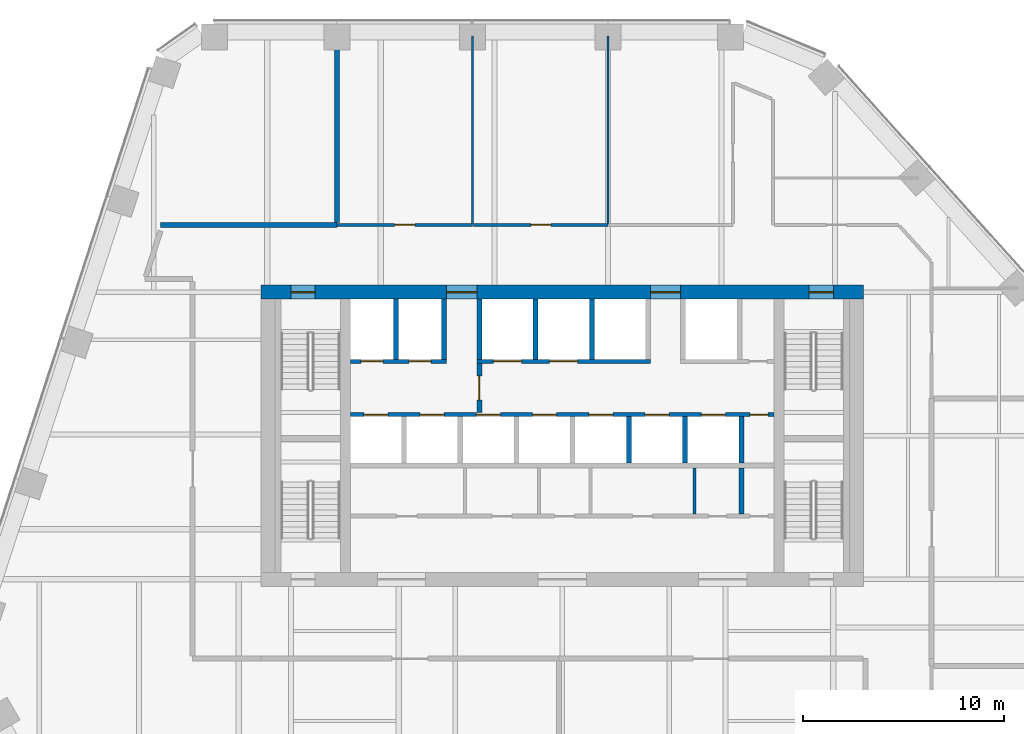
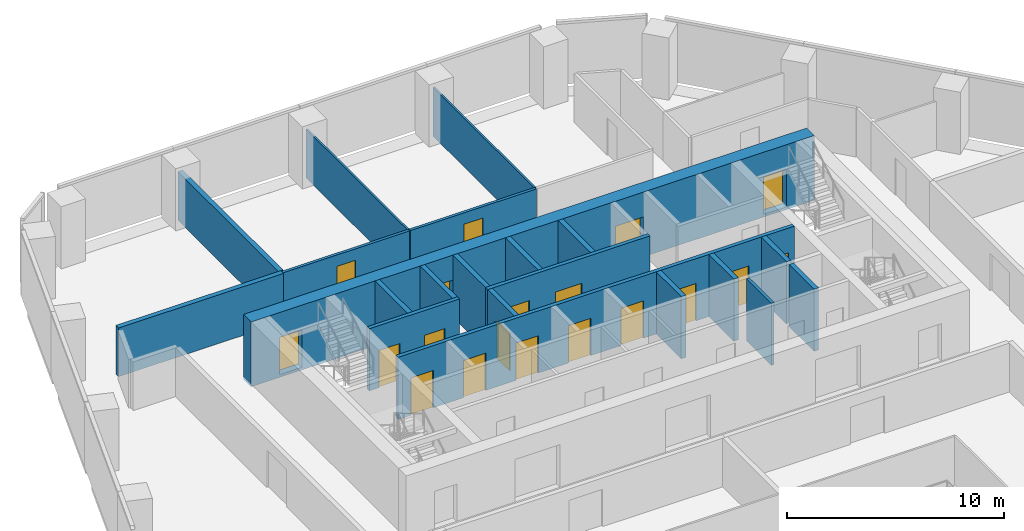
# One storey, part 12 of 16: 21 walls, 19 doors, 19 openings.
"""IFC4 building model written with IfcOpenShell, lengths in metres."""

from ifc_helpers import new_model, si_unit, direction, frame, frame_2d, origin, place, context, subcontext, project, spatial, rectangle, extrude, material, layer, layer_set, type_object, element, fill, save


model = new_model("IFC4")

# Units and contexts
model_context = context("Model", 3, precision=1e-05, world=origin(), true_north=direction((0.0, 1.0)))
body_context = subcontext(model_context, "Body", "Model", "MODEL_VIEW")
ifc_project = project(units=[si_unit("LENGTHUNIT", "METRE"), si_unit("AREAUNIT", "SQUARE_METRE"), si_unit("VOLUMEUNIT", "CUBIC_METRE"), si_unit("PLANEANGLEUNIT", "RADIAN"), si_unit("MASSUNIT", "GRAM", prefix="KILO")], contexts=[model_context])

# Site, building, storey
site_placement = place(None, origin())
site = spatial("IfcSite", under=ifc_project, at=site_placement, CompositionType="ELEMENT")
building_placement = place(site_placement, origin())
building = spatial("IfcBuilding", under=site, at=building_placement, Name="Isthmus Gate Tower", CompositionType="ELEMENT")
storey_placement = place(building_placement, frame((0.0, 0.0, 192.699951171875)))
storey = spatial("IfcBuildingStorey", under=building, at=storey_placement, Name="L48", CompositionType="ELEMENT", Elevation=192.699951171875)

# Walls
ifc_material_1 = material(Name="Double-leaf acoustic stud wall, fire-rated", Category="gypsum")
ifc_layer_1 = layer(ifc_material_1, 0.25)
ifc_layer_set_1 = layer_set([ifc_layer_1], Name="ACOUSTIC WALL 250 60 MIN")
wall_type_1 = type_object("IfcWallType", Name="ACOUSTIC WALL 250 60 MIN", PredefinedType="PARTITIONING", material=ifc_layer_set_1)
wall_1_placement = place(storey_placement, frame((-19.9970703125, 18.0, 0.0), z_axis=(0.0, 0.0, 1.0), x_axis=(1.0, 0.0, 0.0)))
element("IfcWall", 1, at=wall_1_placement, inside=storey, type_object=wall_type_1, Name="L48 Acoustic Wall 250 60 Min", PredefinedType="PARTITIONING", context=body_context, shape_type="SweptSolid", body=[
    extrude(rectangle(XDim=8.78515625, YDim=0.25, at=frame_2d((4.392578125, 0.0))), origin(), (0.0, 0.0, 1.0), 2.7412109375),
])
wall_2_placement = place(storey_placement, frame((-11.2119140625, 18.125, 0.0), z_axis=(0.0, 0.0, 1.0), x_axis=(0.0, 1.0, 0.0)))
element("IfcWall", 2, at=wall_2_placement, inside=storey, type_object=wall_type_1, Name="L48 Acoustic Wall 250 60 Min", PredefinedType="PARTITIONING", context=body_context, shape_type="SweptSolid", body=[
    extrude(rectangle(XDim=9.27490234375, YDim=0.25, at=frame_2d((4.637451171875, 0.0))), origin(), (0.0, 0.0, 1.0), 2.7412109375),
])

# Wall, opening, door
ifc_material_2 = material(Name="Gypsum board on steel studs, fire-rated", Category="steel")
ifc_layer_2 = layer(ifc_material_2, 0.14990234375)
ifc_layer_set_2 = layer_set([ifc_layer_2], Name="CORRIDOR WALL 150 60 MIN")
wall_type_2 = type_object("IfcWallType", Name="CORRIDOR WALL 150 60 MIN", PredefinedType="PARTITIONING", material=ifc_layer_set_2)
wall_3_placement = place(storey_placement, frame((-11.2119140625, 18.0, 0.0), z_axis=(0.0, 0.0, 1.0), x_axis=(1.0, 0.0, 0.0)))
wall_3 = element("IfcWall", 3, at=wall_3_placement, inside=storey, type_object=wall_type_2, Name="L48 Corridor Wall 150 60 Min", PredefinedType="PARTITIONING", context=body_context, shape_type="SweptSolid", body=[
    extrude(rectangle(XDim=6.75, YDim=0.14990234375, at=frame_2d((3.375, 0.0))), origin(), (0.0, 0.0, 1.0), 2.7412109375),
])
opening_1_placement = place(wall_3_placement, frame((2.875, 0.0, 0.0)))
opening_1 = element("IfcOpeningElement", 4, at=opening_1_placement, cuts=wall_3, Name="Opening DT-T4C-01", PredefinedType="OPENING", context=body_context, shape_type="SweptSolid", body=[
    extrude(rectangle(XDim=1.0, YDim=2.10009765625, at=frame_2d((0.5, 1.050048828125))), frame((0.0, 0.0849609375, 0.0), z_axis=(0.0, -1.0, 0.0), x_axis=(1.0, 0.0, 0.0)), (0.0, 0.0, 1.0), 0.169921875),
])
ifc_material_3 = material(Name="Solid core timber door leaf, fire-rated", Category="wood")
door_type_1 = type_object("IfcDoorType", Name="FIRE DOOR ROOM 1000 X 2100 60 MIN", OperationType="SINGLE_SWING_LEFT", PredefinedType="DOOR", material=ifc_material_3)
door_1_placement = place(opening_1_placement, origin())
door_1 = element("IfcDoor", 5, at=door_1_placement, inside=storey, type_object=door_type_1, Name="L48 room door", OperationType="SINGLE_SWING_RIGHT", OverallHeight=2.10009765625, OverallWidth=1.0, PredefinedType="DOOR", context=body_context, shape_type="SweptSolid", body=[
    extrude(rectangle(XDim=1.0, YDim=2.10009765625, at=frame_2d((0.5, 1.050048828125))), frame((0.0, 0.02490234375, 0.0), z_axis=(0.0, -1.0, 0.0), x_axis=(1.0, 0.0, 0.0)), (0.0, 0.0, 1.0), 0.050048828125),
])
fill(opening_1, door_1)

wall_4_placement = place(storey_placement, frame((-4.412109375, 18.0, 0.0), z_axis=(0.0, 0.0, 1.0), x_axis=(1.0, 0.0, 0.0)))
wall_4 = element("IfcWall", 6, at=wall_4_placement, inside=storey, type_object=wall_type_2, Name="L48 Corridor Wall 150 60 Min", PredefinedType="PARTITIONING", context=body_context, shape_type="SweptSolid", body=[
    extrude(rectangle(XDim=6.7001953125, YDim=0.14990234375, at=frame_2d((3.35009765625, 0.0))), origin(), (0.0, 0.0, 1.0), 2.7412109375),
])
opening_2_placement = place(wall_4_placement, frame((2.85009765625, 0.0, 0.0)))
opening_2 = element("IfcOpeningElement", 7, at=opening_2_placement, cuts=wall_4, Name="Opening DT-T4C-02", PredefinedType="OPENING", context=body_context, shape_type="SweptSolid", body=[
    extrude(rectangle(XDim=1.0, YDim=2.10009765625, at=frame_2d((0.5, 1.050048828125))), frame((0.0, 0.0849609375, 0.0), z_axis=(0.0, -1.0, 0.0), x_axis=(1.0, 0.0, 0.0)), (0.0, 0.0, 1.0), 0.169921875),
])
door_2_placement = place(opening_2_placement, origin())
door_2 = element("IfcDoor", 8, at=door_2_placement, inside=storey, type_object=door_type_1, Name="L48 room door", OperationType="SINGLE_SWING_RIGHT", OverallHeight=2.10009765625, OverallWidth=1.0, PredefinedType="DOOR", context=body_context, shape_type="SweptSolid", body=[
    extrude(rectangle(XDim=1.0, YDim=2.10009765625, at=frame_2d((0.5, 1.050048828125))), frame((0.0, 0.02490234375, 0.0), z_axis=(0.0, -1.0, 0.0), x_axis=(1.0, 0.0, 0.0)), (0.0, 0.0, 1.0), 0.050048828125),
])
fill(opening_2, door_2)

ifc_material_4 = material(Name="Fire-rated blockwork masonry, 15 MPa", Category="masonry")
ifc_layer_3 = layer(ifc_material_4, 0.25)
ifc_layer_set_3 = layer_set([ifc_layer_3], Name="FIRE-FIGHTING LOBBY WALL 250 90 MIN")
wall_type_3 = type_object("IfcWallType", Name="FIRE-FIGHTING LOBBY WALL 250 90 MIN", PredefinedType="PARTITIONING", material=ifc_layer_set_3)
wall_5_placement = place(storey_placement, frame((-4.125, 8.64990234375, 0.0), z_axis=(0.0, 0.0, 1.0), x_axis=(0.0, 1.0, 0.0)))
wall_5 = element("IfcWall", 9, at=wall_5_placement, inside=storey, type_object=wall_type_3, Name="L48 FIRE-FIGHTING LOBBY WALL 250 90 MIN", PredefinedType="PARTITIONING", context=body_context, shape_type="SweptSolid", body=[
    extrude(rectangle(XDim=2.4501953125, YDim=0.25, at=frame_2d((1.22509765625, 0.0))), origin(), (0.0, 0.0, 1.0), 3.5),
])
opening_3_placement = place(wall_5_placement, frame((0.625, 0.0, 0.0)))
opening_3 = element("IfcOpeningElement", 10, at=opening_3_placement, cuts=wall_5, Name="Opening DC-A11-01", PredefinedType="OPENING", context=body_context, shape_type="SweptSolid", body=[
    extrude(rectangle(XDim=1.199951171875, YDim=2.10009765625, at=frame_2d((0.60009765625, 1.050048828125))), frame((0.0, 0.135009765625, 0.0), z_axis=(0.0, -1.0, 0.0), x_axis=(1.0, 0.0, 0.0)), (0.0, 0.0, 1.0), 0.27001953125),
])
ifc_material_5 = material(Name="Steel door leaf, fire-rated", Category="steel")
door_type_2 = type_object("IfcDoorType", Name="LOBBY FIRE DOOR 1200 X 2100 90 MIN", OperationType="DOUBLE_DOOR_SINGLE_SWING", PredefinedType="DOOR", material=ifc_material_5)
door_3_placement = place(opening_3_placement, origin())
door_3 = element("IfcDoor", 11, at=door_3_placement, inside=storey, type_object=door_type_2, Name="Fire-fighting Lobby Door", OperationType="SINGLE_SWING_LEFT", OverallHeight=2.10009765625, OverallWidth=1.199951171875, PredefinedType="DOOR", context=body_context, shape_type="SweptSolid", body=[
    extrude(rectangle(XDim=1.199951171875, YDim=2.10009765625, at=frame_2d((0.60009765625, 1.050048828125))), frame((0.0, 0.02490234375, 0.0), z_axis=(0.0, -1.0, 0.0), x_axis=(1.0, 0.0, 0.0)), (0.0, 0.0, 1.0), 0.050048828125),
])
fill(opening_3, door_3)

# Wall, openings, doors
ifc_material_6 = material(Name="Concrete f'c 60 MPa", Category="concrete")
ifc_layer_4 = layer(ifc_material_6, 0.699951171875)
ifc_layer_set_4 = layer_set([ifc_layer_4], Name="RC CORE WALL 700 F'C 60")
wall_type_4 = type_object("IfcWallType", Name="RC CORE WALL 700 F'C 60", PredefinedType="SOLIDWALL", material=ifc_layer_set_4)
wall_6_placement = place(storey_placement, frame((-15.0, 14.64990234375, -0.14990234375), z_axis=(0.0, 0.0, 1.0), x_axis=(1.0, 0.0, 0.0)))
wall_6 = element("IfcWall", 12, at=wall_6_placement, inside=storey, type_object=wall_type_4, Name="str-corewall-L48-N", PredefinedType="SOLIDWALL", context=body_context, shape_type="SweptSolid", body=[
    extrude(rectangle(XDim=30.0, YDim=0.699951171875, at=frame_2d((15.0, 0.0))), origin(), (0.0, 0.0, 1.0), 3.64990234375),
])
opening_4_placement = place(wall_6_placement, frame((9.25, 0.0, 0.14990234375)))
opening_4 = element("IfcOpeningElement", 13, at=opening_4_placement, cuts=wall_6, Name="Opening DC-A11-13", PredefinedType="OPENING", context=body_context, shape_type="SweptSolid", body=[
    extrude(rectangle(XDim=1.5, YDim=2.10009765625, at=frame_2d((0.75, 1.050048828125))), frame((0.0, 0.35986328125, 0.0), z_axis=(0.0, -1.0, 0.0), x_axis=(1.0, 0.0, 0.0)), (0.0, 0.0, 1.0), 0.719970703125),
])
opening_5_placement = place(wall_6_placement, frame((19.39990234375, 0.0, 0.14990234375)))
opening_5 = element("IfcOpeningElement", 14, at=opening_5_placement, cuts=wall_6, Name="Opening DC-A11-14", PredefinedType="OPENING", context=body_context, shape_type="SweptSolid", body=[
    extrude(rectangle(XDim=1.5, YDim=2.10009765625, at=frame_2d((0.75, 1.050048828125))), frame((0.0, 0.35986328125, 0.0), z_axis=(0.0, -1.0, 0.0), x_axis=(1.0, 0.0, 0.0)), (0.0, 0.0, 1.0), 0.719970703125),
])
opening_6_placement = place(wall_6_placement, frame((1.5, 0.0, 0.14990234375)))
opening_6 = element("IfcOpeningElement", 15, at=opening_6_placement, cuts=wall_6, Name="Opening DC-A11-15", PredefinedType="OPENING", context=body_context, shape_type="SweptSolid", body=[
    extrude(rectangle(XDim=1.199951171875, YDim=2.10009765625, at=frame_2d((0.60009765625, 1.050048828125))), frame((0.0, 0.35986328125, 0.0), z_axis=(0.0, -1.0, 0.0), x_axis=(1.0, 0.0, 0.0)), (0.0, 0.0, 1.0), 0.719970703125),
])
opening_7_placement = place(wall_6_placement, frame((27.300048828125, 0.0, 0.14990234375)))
opening_7 = element("IfcOpeningElement", 16, at=opening_7_placement, cuts=wall_6, Name="Opening DC-A11-16", PredefinedType="OPENING", context=body_context, shape_type="SweptSolid", body=[
    extrude(rectangle(XDim=1.199951171875, YDim=2.10009765625, at=frame_2d((0.60009765625, 1.050048828125))), frame((0.0, 0.35986328125, 0.0), z_axis=(0.0, -1.0, 0.0), x_axis=(1.0, 0.0, 0.0)), (0.0, 0.0, 1.0), 0.719970703125),
])
ifc_material_7 = material(Name="Steel door leaf, fire-rated", Category="steel")
door_type_3 = type_object("IfcDoorType", Name="LOBBY FIRE DOOR 1500 X 2100 60 MIN", OperationType="DOUBLE_DOOR_SINGLE_SWING", PredefinedType="DOOR", material=ifc_material_7)
door_4_placement = place(opening_5_placement, origin())
door_4 = element("IfcDoor", 17, at=door_4_placement, inside=storey, type_object=door_type_3, Name="Lobby Door PN-E", OperationType="DOUBLE_DOOR_SINGLE_SWING", OverallHeight=2.10009765625, OverallWidth=1.5, PredefinedType="DOOR", context=body_context, shape_type="SweptSolid", body=[
    extrude(rectangle(XDim=1.5, YDim=2.10009765625, at=frame_2d((0.75, 1.050048828125))), frame((0.0, 0.02490234375, 0.0), z_axis=(0.0, -1.0, 0.0), x_axis=(1.0, 0.0, 0.0)), (0.0, 0.0, 1.0), 0.050048828125),
])
fill(opening_5, door_4)
ifc_material_8 = material(Name="Steel door leaf, fire-rated", Category="steel")
door_type_4 = type_object("IfcDoorType", Name="LOBBY FIRE DOOR 1500 X 2100 90 MIN", OperationType="DOUBLE_DOOR_SINGLE_SWING", PredefinedType="DOOR", material=ifc_material_8)
door_5_placement = place(opening_4_placement, origin())
door_5 = element("IfcDoor", 18, at=door_5_placement, inside=storey, type_object=door_type_4, Name="Lobby Door PN-W", OperationType="DOUBLE_DOOR_SINGLE_SWING", OverallHeight=2.10009765625, OverallWidth=1.5, PredefinedType="DOOR", context=body_context, shape_type="SweptSolid", body=[
    extrude(rectangle(XDim=1.5, YDim=2.10009765625, at=frame_2d((0.75, 1.050048828125))), frame((0.0, 0.02490234375, 0.0), z_axis=(0.0, -1.0, 0.0), x_axis=(1.0, 0.0, 0.0)), (0.0, 0.0, 1.0), 0.050048828125),
])
fill(opening_4, door_5)
ifc_material_9 = material(Name="Steel door leaf, fire-rated", Category="steel")
door_type_5 = type_object("IfcDoorType", Name="STAIR FIRE DOOR 1200 X 2100 90 MIN", OperationType="SINGLE_SWING_LEFT", PredefinedType="DOOR", material=ifc_material_9)
door_6_placement = place(opening_6_placement, origin())
door_6 = element("IfcDoor", 19, at=door_6_placement, inside=storey, type_object=door_type_5, Name="Exit Stair 1 Door", OperationType="SINGLE_SWING_RIGHT", OverallHeight=2.10009765625, OverallWidth=1.199951171875, PredefinedType="DOOR", context=body_context, shape_type="SweptSolid", body=[
    extrude(rectangle(XDim=1.199951171875, YDim=2.10009765625, at=frame_2d((0.60009765625, 1.050048828125))), frame((0.0, 0.02490234375, 0.0), z_axis=(0.0, -1.0, 0.0), x_axis=(1.0, 0.0, 0.0)), (0.0, 0.0, 1.0), 0.050048828125),
])
fill(opening_6, door_6)
door_7_placement = place(opening_7_placement, origin())
door_7 = element("IfcDoor", 20, at=door_7_placement, inside=storey, type_object=door_type_5, Name="Exit Stair 2 Door", OperationType="SINGLE_SWING_LEFT", OverallHeight=2.10009765625, OverallWidth=1.199951171875, PredefinedType="DOOR", context=body_context, shape_type="SweptSolid", body=[
    extrude(rectangle(XDim=1.199951171875, YDim=2.10009765625, at=frame_2d((0.60009765625, 1.050048828125))), frame((0.0, 0.02490234375, 0.0), z_axis=(0.0, -1.0, 0.0), x_axis=(1.0, 0.0, 0.0)), (0.0, 0.0, 1.0), 0.050048828125),
])
fill(opening_7, door_7)

# Walls
ifc_material_10 = material(Name="Gypsum board on steel studs, fire-rated", Category="steel")
ifc_layer_5 = layer(ifc_material_10, 0.10009765625)
ifc_layer_set_5 = layer_set([ifc_layer_5], Name="ROOM PARTITION 100 30 MIN")
wall_type_5 = type_object("IfcWallType", Name="ROOM PARTITION 100 30 MIN", PredefinedType="PARTITIONING", material=ifc_layer_set_5)
for number, where, z_axis, x_axis, name in (
    (21, (-4.4619140625, 18.074951171875, 0.0), (0.0, 0.0, 1.0), (0.0, 1.0, 0.0), "L48 Room Partition 100 30 Min"),
    (22, (2.2880859375, 18.074951171875, 0.0), (0.0, 0.0, 1.0), (0.0, 1.0, 0.0), "L48 Room Partition 100 30 Min"),
):
    element("IfcWall", number, at=place(storey_placement, frame(where, z_axis=z_axis, x_axis=x_axis)), inside=storey, type_object=wall_type_5, Name=name, PredefinedType="PARTITIONING", context=body_context, shape_type="SweptSolid", body=[
        extrude(rectangle(XDim=9.324951171875, YDim=0.10009765625, at=frame_2d((4.66259765625, 0.0))), origin(), (0.0, 0.0, 1.0), 2.7412109375),
    ])
ifc_material_11 = material(Name="Gypsum board on steel studs, fire-rated", Category="steel")
ifc_layer_6 = layer(ifc_material_11, 0.14990234375)
ifc_layer_set_6 = layer_set([ifc_layer_6], Name="ROOM PARTITION 150 60 MIN")
wall_type_6 = type_object("IfcWallType", Name="ROOM PARTITION 150 60 MIN", PredefinedType="PARTITIONING", material=ifc_layer_set_6)
wall_7_placement = place(storey_placement, frame((6.60009765625, 3.60009765625, 0.0), z_axis=(0.0, 0.0, 1.0), x_axis=(0.0, 1.0, 0.0)))
element("IfcWall", 23, at=wall_7_placement, inside=storey, type_object=wall_type_6, Name="L48 ROOM PARTITION 150 60 MIN", PredefinedType="PARTITIONING", context=body_context, shape_type="SweptSolid", body=[
    extrude(rectangle(XDim=2.2998046875, YDim=0.14990234375, at=frame_2d((1.14990234375, 0.0))), origin(), (0.0, 0.0, 1.0), 3.5),
])

# Wall, openings, doors
ifc_material_12 = material(Name="Fire-rated blockwork masonry, 15 MPa", Category="masonry")
ifc_layer_7 = layer(ifc_material_12, 0.199951171875)
ifc_layer_set_7 = layer_set([ifc_layer_7], Name="SHAFT FRONT WALL 200 120 MIN")
wall_type_7 = type_object("IfcWallType", Name="SHAFT FRONT WALL 200 120 MIN", PredefinedType="PARTITIONING", material=ifc_layer_set_7)
wall_8_placement = place(storey_placement, frame((-10.550048828125, 8.550048828125, 0.0), z_axis=(0.0, 0.0, 1.0), x_axis=(1.0, 0.0, 0.0)))
wall_8 = element("IfcWall", 24, at=wall_8_placement, inside=storey, type_object=wall_type_7, Name="L48 SHAFT FRONT WALL 200 120 MIN", PredefinedType="PARTITIONING", context=body_context, shape_type="SweptSolid", body=[
    extrude(rectangle(XDim=21.10009765625, YDim=0.199951171875, at=frame_2d((10.550048828125, 0.0))), origin(), (0.0, 0.0, 1.0), 3.5),
])
opening_8_placement = place(wall_8_placement, frame((0.675048828125, 0.0, 0.0)))
opening_8 = element("IfcOpeningElement", 25, at=opening_8_placement, cuts=wall_8, Name="Opening LD-LB1", PredefinedType="OPENING", context=body_context, shape_type="SweptSolid", body=[
    extrude(rectangle(XDim=1.199951171875, YDim=2.10009765625, at=frame_2d((0.60009765625, 1.050048828125))), frame((0.0, 0.10986328125, 0.0), z_axis=(0.0, -1.0, 0.0), x_axis=(1.0, 0.0, 0.0)), (0.0, 0.0, 1.0), 0.219970703125),
])
opening_9_placement = place(wall_8_placement, frame((3.47509765625, 0.0, 0.0)))
opening_9 = element("IfcOpeningElement", 26, at=opening_9_placement, cuts=wall_8, Name="Opening LD-LB2", PredefinedType="OPENING", context=body_context, shape_type="SweptSolid", body=[
    extrude(rectangle(XDim=1.199951171875, YDim=2.10009765625, at=frame_2d((0.60009765625, 1.050048828125))), frame((0.0, 0.10986328125, 0.0), z_axis=(0.0, -1.0, 0.0), x_axis=(1.0, 0.0, 0.0)), (0.0, 0.0, 1.0), 0.219970703125),
])
opening_10_placement = place(wall_8_placement, frame((6.27490234375, 0.0, 0.0)))
opening_10 = element("IfcOpeningElement", 27, at=opening_10_placement, cuts=wall_8, Name="Opening LD-LB3", PredefinedType="OPENING", context=body_context, shape_type="SweptSolid", body=[
    extrude(rectangle(XDim=1.199951171875, YDim=2.10009765625, at=frame_2d((0.60009765625, 1.050048828125))), frame((0.0, 0.10986328125, 0.0), z_axis=(0.0, -1.0, 0.0), x_axis=(1.0, 0.0, 0.0)), (0.0, 0.0, 1.0), 0.219970703125),
])
opening_11_placement = place(wall_8_placement, frame((9.074951171875, 0.0, 0.0)))
opening_11 = element("IfcOpeningElement", 28, at=opening_11_placement, cuts=wall_8, Name="Opening LD-LB4", PredefinedType="OPENING", context=body_context, shape_type="SweptSolid", body=[
    extrude(rectangle(XDim=1.199951171875, YDim=2.10009765625, at=frame_2d((0.60009765625, 1.050048828125))), frame((0.0, 0.10986328125, 0.0), z_axis=(0.0, -1.0, 0.0), x_axis=(1.0, 0.0, 0.0)), (0.0, 0.0, 1.0), 0.219970703125),
])
opening_12_placement = place(wall_8_placement, frame((11.875, 0.0, 0.0)))
opening_12 = element("IfcOpeningElement", 29, at=opening_12_placement, cuts=wall_8, Name="Opening LD-LB5", PredefinedType="OPENING", context=body_context, shape_type="SweptSolid", body=[
    extrude(rectangle(XDim=1.199951171875, YDim=2.10009765625, at=frame_2d((0.60009765625, 1.050048828125))), frame((0.0, 0.10986328125, 0.0), z_axis=(0.0, -1.0, 0.0), x_axis=(1.0, 0.0, 0.0)), (0.0, 0.0, 1.0), 0.219970703125),
])
opening_13_placement = place(wall_8_placement, frame((14.675048828125, 0.0, 0.0)))
opening_13 = element("IfcOpeningElement", 30, at=opening_13_placement, cuts=wall_8, Name="Opening LD-LB6", PredefinedType="OPENING", context=body_context, shape_type="SweptSolid", body=[
    extrude(rectangle(XDim=1.199951171875, YDim=2.10009765625, at=frame_2d((0.60009765625, 1.050048828125))), frame((0.0, 0.10986328125, 0.0), z_axis=(0.0, -1.0, 0.0), x_axis=(1.0, 0.0, 0.0)), (0.0, 0.0, 1.0), 0.219970703125),
])
opening_14_placement = place(wall_8_placement, frame((17.47509765625, 0.0, 0.0)))
opening_14 = element("IfcOpeningElement", 31, at=opening_14_placement, cuts=wall_8, Name="Opening LD-LB7", PredefinedType="OPENING", context=body_context, shape_type="SweptSolid", body=[
    extrude(rectangle(XDim=1.199951171875, YDim=2.10009765625, at=frame_2d((0.60009765625, 1.050048828125))), frame((0.0, 0.10986328125, 0.0), z_axis=(0.0, -1.0, 0.0), x_axis=(1.0, 0.0, 0.0)), (0.0, 0.0, 1.0), 0.219970703125),
])
opening_15_placement = place(wall_8_placement, frame((19.89990234375, 0.0, 0.0)))
opening_15 = element("IfcOpeningElement", 32, at=opening_15_placement, cuts=wall_8, Name="Opening DC-A11-08", PredefinedType="OPENING", context=body_context, shape_type="SweptSolid", body=[
    extrude(rectangle(XDim=0.89990234375, YDim=2.10009765625, at=frame_2d((0.449951171875, 1.050048828125))), frame((0.0, 0.10986328125, 0.0), z_axis=(0.0, -1.0, 0.0), x_axis=(1.0, 0.0, 0.0)), (0.0, 0.0, 1.0), 0.219970703125),
])
ifc_material_13 = material(Name="Stainless steel sliding leaf", Category="steel")
door_type_6 = type_object("IfcDoorType", Name="LIFT LANDING FIRE DOOR 1200 X 2100 90 MIN", OperationType="DOUBLE_DOOR_SLIDING", PredefinedType="DOOR", material=ifc_material_13)
door_8_placement = place(opening_8_placement, origin())
door_8 = element("IfcDoor", 33, at=door_8_placement, inside=storey, type_object=door_type_6, Name="Lift Landing Door LB1", OperationType="DOUBLE_DOOR_SLIDING", OverallHeight=2.10009765625, OverallWidth=1.199951171875, PredefinedType="DOOR", context=body_context, shape_type="SweptSolid", body=[
    extrude(rectangle(XDim=1.199951171875, YDim=2.10009765625, at=frame_2d((0.60009765625, 1.050048828125))), frame((0.0, 0.02490234375, 0.0), z_axis=(0.0, -1.0, 0.0), x_axis=(1.0, 0.0, 0.0)), (0.0, 0.0, 1.0), 0.050048828125),
])
fill(opening_8, door_8)
door_9_placement = place(opening_9_placement, origin())
door_9 = element("IfcDoor", 34, at=door_9_placement, inside=storey, type_object=door_type_6, Name="Lift Landing Door LB2", OperationType="DOUBLE_DOOR_SLIDING", OverallHeight=2.10009765625, OverallWidth=1.199951171875, PredefinedType="DOOR", context=body_context, shape_type="SweptSolid", body=[
    extrude(rectangle(XDim=1.199951171875, YDim=2.10009765625, at=frame_2d((0.60009765625, 1.050048828125))), frame((0.0, 0.02490234375, 0.0), z_axis=(0.0, -1.0, 0.0), x_axis=(1.0, 0.0, 0.0)), (0.0, 0.0, 1.0), 0.050048828125),
])
fill(opening_9, door_9)
door_10_placement = place(opening_10_placement, origin())
door_10 = element("IfcDoor", 35, at=door_10_placement, inside=storey, type_object=door_type_6, Name="Lift Landing Door LB3", OperationType="DOUBLE_DOOR_SLIDING", OverallHeight=2.10009765625, OverallWidth=1.199951171875, PredefinedType="DOOR", context=body_context, shape_type="SweptSolid", body=[
    extrude(rectangle(XDim=1.199951171875, YDim=2.10009765625, at=frame_2d((0.60009765625, 1.050048828125))), frame((0.0, 0.02490234375, 0.0), z_axis=(0.0, -1.0, 0.0), x_axis=(1.0, 0.0, 0.0)), (0.0, 0.0, 1.0), 0.050048828125),
])
fill(opening_10, door_10)
door_11_placement = place(opening_11_placement, origin())
door_11 = element("IfcDoor", 36, at=door_11_placement, inside=storey, type_object=door_type_6, Name="Lift Landing Door LB4", OperationType="DOUBLE_DOOR_SLIDING", OverallHeight=2.10009765625, OverallWidth=1.199951171875, PredefinedType="DOOR", context=body_context, shape_type="SweptSolid", body=[
    extrude(rectangle(XDim=1.199951171875, YDim=2.10009765625, at=frame_2d((0.60009765625, 1.050048828125))), frame((0.0, 0.02490234375, 0.0), z_axis=(0.0, -1.0, 0.0), x_axis=(1.0, 0.0, 0.0)), (0.0, 0.0, 1.0), 0.050048828125),
])
fill(opening_11, door_11)
door_12_placement = place(opening_12_placement, origin())
door_12 = element("IfcDoor", 37, at=door_12_placement, inside=storey, type_object=door_type_6, Name="Lift Landing Door LB5", OperationType="DOUBLE_DOOR_SLIDING", OverallHeight=2.10009765625, OverallWidth=1.199951171875, PredefinedType="DOOR", context=body_context, shape_type="SweptSolid", body=[
    extrude(rectangle(XDim=1.199951171875, YDim=2.10009765625, at=frame_2d((0.60009765625, 1.050048828125))), frame((0.0, 0.02490234375, 0.0), z_axis=(0.0, -1.0, 0.0), x_axis=(1.0, 0.0, 0.0)), (0.0, 0.0, 1.0), 0.050048828125),
])
fill(opening_12, door_12)
door_13_placement = place(opening_13_placement, origin())
door_13 = element("IfcDoor", 38, at=door_13_placement, inside=storey, type_object=door_type_6, Name="Lift Landing Door LB6", OperationType="DOUBLE_DOOR_SLIDING", OverallHeight=2.10009765625, OverallWidth=1.199951171875, PredefinedType="DOOR", context=body_context, shape_type="SweptSolid", body=[
    extrude(rectangle(XDim=1.199951171875, YDim=2.10009765625, at=frame_2d((0.60009765625, 1.050048828125))), frame((0.0, 0.02490234375, 0.0), z_axis=(0.0, -1.0, 0.0), x_axis=(1.0, 0.0, 0.0)), (0.0, 0.0, 1.0), 0.050048828125),
])
fill(opening_13, door_13)
door_14_placement = place(opening_14_placement, origin())
door_14 = element("IfcDoor", 39, at=door_14_placement, inside=storey, type_object=door_type_6, Name="Lift Landing Door LB7", OperationType="DOUBLE_DOOR_SLIDING", OverallHeight=2.10009765625, OverallWidth=1.199951171875, PredefinedType="DOOR", context=body_context, shape_type="SweptSolid", body=[
    extrude(rectangle(XDim=1.199951171875, YDim=2.10009765625, at=frame_2d((0.60009765625, 1.050048828125))), frame((0.0, 0.02490234375, 0.0), z_axis=(0.0, -1.0, 0.0), x_axis=(1.0, 0.0, 0.0)), (0.0, 0.0, 1.0), 0.050048828125),
])
fill(opening_14, door_14)
ifc_material_14 = material(Name="Steel door leaf, fire-rated", Category="steel")
door_type_7 = type_object("IfcDoorType", Name="RISER FIRE DOOR 900 X 2100 90 MIN", OperationType="SINGLE_SWING_LEFT", PredefinedType="DOOR", material=ifc_material_14)
door_15_placement = place(opening_15_placement, origin())
door_15 = element("IfcDoor", 40, at=door_15_placement, inside=storey, type_object=door_type_7, Name="Riser Door", OperationType="SINGLE_SWING_RIGHT", OverallHeight=2.10009765625, OverallWidth=0.89990234375, PredefinedType="DOOR", context=body_context, shape_type="SweptSolid", body=[
    extrude(rectangle(XDim=0.89990234375, YDim=2.10009765625, at=frame_2d((0.449951171875, 1.050048828125))), frame((0.0, 0.02490234375, 0.0), z_axis=(0.0, -1.0, 0.0), x_axis=(1.0, 0.0, 0.0)), (0.0, 0.0, 1.0), 0.050048828125),
])
fill(opening_15, door_15)

wall_9_placement = place(storey_placement, frame((-10.550048828125, 11.199951171875, 0.0), z_axis=(0.0, 0.0, 1.0), x_axis=(1.0, 0.0, 0.0)))
wall_9 = element("IfcWall", 41, at=wall_9_placement, inside=storey, type_object=wall_type_7, Name="L48 SHAFT FRONT WALL 200 120 MIN", PredefinedType="PARTITIONING", context=body_context, shape_type="SweptSolid", body=[
    extrude(rectangle(XDim=4.800048828125, YDim=0.199951171875, at=frame_2d((2.39990234375, 0.0))), origin(), (0.0, 0.0, 1.0), 3.5),
])
opening_16_placement = place(wall_9_placement, frame((0.52490234375, 0.0, 0.0)))
opening_16 = element("IfcOpeningElement", 42, at=opening_16_placement, cuts=wall_9, Name="Opening LD-LF1", PredefinedType="OPENING", context=body_context, shape_type="SweptSolid", body=[
    extrude(rectangle(XDim=1.10009765625, YDim=2.10009765625, at=frame_2d((0.550048828125, 1.050048828125))), frame((0.0, 0.10986328125, 0.0), z_axis=(0.0, -1.0, 0.0), x_axis=(1.0, 0.0, 0.0)), (0.0, 0.0, 1.0), 0.219970703125),
])
opening_17_placement = place(wall_9_placement, frame((2.925048828125, 0.0, 0.0)))
opening_17 = element("IfcOpeningElement", 43, at=opening_17_placement, cuts=wall_9, Name="Opening LD-LF2", PredefinedType="OPENING", context=body_context, shape_type="SweptSolid", body=[
    extrude(rectangle(XDim=1.10009765625, YDim=2.10009765625, at=frame_2d((0.550048828125, 1.050048828125))), frame((0.0, 0.10986328125, 0.0), z_axis=(0.0, -1.0, 0.0), x_axis=(1.0, 0.0, 0.0)), (0.0, 0.0, 1.0), 0.219970703125),
])
ifc_material_15 = material(Name="Stainless steel sliding leaf", Category="steel")
door_type_8 = type_object("IfcDoorType", Name="LIFT LANDING FIRE DOOR 1100 X 2100 90 MIN", OperationType="DOUBLE_DOOR_SLIDING", PredefinedType="DOOR", material=ifc_material_15)
door_16_placement = place(opening_16_placement, origin())
door_16 = element("IfcDoor", 44, at=door_16_placement, inside=storey, type_object=door_type_8, Name="Lift Landing Door LF1", OperationType="DOUBLE_DOOR_SLIDING", OverallHeight=2.10009765625, OverallWidth=1.10009765625, PredefinedType="DOOR", context=body_context, shape_type="SweptSolid", body=[
    extrude(rectangle(XDim=1.10009765625, YDim=2.10009765625, at=frame_2d((0.550048828125, 1.050048828125))), frame((0.0, 0.02490234375, 0.0), z_axis=(0.0, -1.0, 0.0), x_axis=(1.0, 0.0, 0.0)), (0.0, 0.0, 1.0), 0.050048828125),
])
fill(opening_16, door_16)
door_17_placement = place(opening_17_placement, origin())
door_17 = element("IfcDoor", 45, at=door_17_placement, inside=storey, type_object=door_type_8, Name="Lift Landing Door LF2", OperationType="DOUBLE_DOOR_SLIDING", OverallHeight=2.10009765625, OverallWidth=1.10009765625, PredefinedType="DOOR", context=body_context, shape_type="SweptSolid", body=[
    extrude(rectangle(XDim=1.10009765625, YDim=2.10009765625, at=frame_2d((0.550048828125, 1.050048828125))), frame((0.0, 0.02490234375, 0.0), z_axis=(0.0, -1.0, 0.0), x_axis=(1.0, 0.0, 0.0)), (0.0, 0.0, 1.0), 0.050048828125),
])
fill(opening_17, door_17)

wall_10_placement = place(storey_placement, frame((-4.25, 11.199951171875, 0.0), z_axis=(0.0, 0.0, 1.0), x_axis=(1.0, 0.0, 0.0)))
wall_10 = element("IfcWall", 46, at=wall_10_placement, inside=storey, type_object=wall_type_7, Name="L48 SHAFT FRONT WALL 200 120 MIN", PredefinedType="PARTITIONING", context=body_context, shape_type="SweptSolid", body=[
    extrude(rectangle(XDim=8.64990234375, YDim=0.199951171875, at=frame_2d((4.324951171875, 0.0))), origin(), (0.0, 0.0, 1.0), 3.5),
])
opening_18_placement = place(wall_10_placement, frame((0.824951171875, 0.0, 0.0)))
opening_18 = element("IfcOpeningElement", 47, at=opening_18_placement, cuts=wall_10, Name="Opening LD-LV1", PredefinedType="OPENING", context=body_context, shape_type="SweptSolid", body=[
    extrude(rectangle(XDim=1.39990234375, YDim=2.10009765625, at=frame_2d((0.699951171875, 1.050048828125))), frame((0.0, 0.10986328125, 0.0), z_axis=(0.0, -1.0, 0.0), x_axis=(1.0, 0.0, 0.0)), (0.0, 0.0, 1.0), 0.219970703125),
])
opening_19_placement = place(wall_10_placement, frame((3.625, 0.0, 0.0)))
opening_19 = element("IfcOpeningElement", 48, at=opening_19_placement, cuts=wall_10, Name="Opening LD-LV2", PredefinedType="OPENING", context=body_context, shape_type="SweptSolid", body=[
    extrude(rectangle(XDim=1.39990234375, YDim=2.10009765625, at=frame_2d((0.699951171875, 1.050048828125))), frame((0.0, 0.10986328125, 0.0), z_axis=(0.0, -1.0, 0.0), x_axis=(1.0, 0.0, 0.0)), (0.0, 0.0, 1.0), 0.219970703125),
])
ifc_material_16 = material(Name="Stainless steel sliding leaf", Category="steel")
door_type_9 = type_object("IfcDoorType", Name="LIFT LANDING FIRE DOOR 1400 X 2100 90 MIN", OperationType="DOUBLE_DOOR_SLIDING", PredefinedType="DOOR", material=ifc_material_16)
door_18_placement = place(opening_18_placement, origin())
door_18 = element("IfcDoor", 49, at=door_18_placement, inside=storey, type_object=door_type_9, Name="Lift Landing Door LV1", OperationType="DOUBLE_DOOR_SLIDING", OverallHeight=2.10009765625, OverallWidth=1.39990234375, PredefinedType="DOOR", context=body_context, shape_type="SweptSolid", body=[
    extrude(rectangle(XDim=1.39990234375, YDim=2.10009765625, at=frame_2d((0.699951171875, 1.050048828125))), frame((0.0, 0.02490234375, 0.0), z_axis=(0.0, -1.0, 0.0), x_axis=(1.0, 0.0, 0.0)), (0.0, 0.0, 1.0), 0.050048828125),
])
fill(opening_18, door_18)
door_19_placement = place(opening_19_placement, origin())
door_19 = element("IfcDoor", 50, at=door_19_placement, inside=storey, type_object=door_type_9, Name="Lift Landing Door LV2", OperationType="DOUBLE_DOOR_SLIDING", OverallHeight=2.10009765625, OverallWidth=1.39990234375, PredefinedType="DOOR", context=body_context, shape_type="SweptSolid", body=[
    extrude(rectangle(XDim=1.39990234375, YDim=2.10009765625, at=frame_2d((0.699951171875, 1.050048828125))), frame((0.0, 0.02490234375, 0.0), z_axis=(0.0, -1.0, 0.0), x_axis=(1.0, 0.0, 0.0)), (0.0, 0.0, 1.0), 0.050048828125),
])
fill(opening_19, door_19)

# Walls
ifc_material_17 = material(Name="Fire-rated blockwork masonry, 15 MPa", Category="masonry")
ifc_layer_8 = layer(ifc_material_17, 0.25)
ifc_layer_set_8 = layer_set([ifc_layer_8], Name="SHAFT WALL 250 120 MIN")
wall_type_8 = type_object("IfcWallType", Name="SHAFT WALL 250 120 MIN", PredefinedType="PARTITIONING", material=ifc_layer_set_8)
wall_11_placement = place(storey_placement, frame((8.925048828125, 3.60009765625, 0.0), z_axis=(0.0, 0.0, 1.0), x_axis=(0.0, 1.0, 0.0)))
element("IfcWall", 51, at=wall_11_placement, inside=storey, type_object=wall_type_8, Name="L48 SHAFT WALL 250 120 MIN", PredefinedType="PARTITIONING", context=body_context, shape_type="SweptSolid", body=[
    extrude(rectangle(XDim=2.2998046875, YDim=0.25, at=frame_2d((1.14990234375, 0.0))), origin(), (0.0, 0.0, 1.0), 3.5),
])
for number, where, z_axis, x_axis, name in (
    (52, (3.324951171875, 6.14990234375, 0.0), (0.0, 0.0, 1.0), (0.0, 1.0, 0.0), "L48 SHAFT WALL 250 120 MIN"),
    (53, (6.125, 6.14990234375, 0.0), (0.0, 0.0, 1.0), (0.0, 1.0, 0.0), "L48 SHAFT WALL 250 120 MIN"),
    (54, (8.925048828125, 6.14990234375, 0.0), (0.0, 0.0, 1.0), (0.0, 1.0, 0.0), "L48 SHAFT WALL 250 120 MIN"),
):
    element("IfcWall", number, at=place(storey_placement, frame(where, z_axis=z_axis, x_axis=x_axis)), inside=storey, type_object=wall_type_8, Name=name, PredefinedType="PARTITIONING", context=body_context, shape_type="SweptSolid", body=[
        extrude(rectangle(XDim=2.300048828125, YDim=0.25, at=frame_2d((1.14990234375, 0.0))), origin(), (0.0, 0.0, 1.0), 3.5),
    ])
for number, where, z_axis, x_axis, name in (
    (55, (-8.27490234375, 11.300048828125, 0.0), (0.0, 0.0, 1.0), (0.0, 1.0, 0.0), "L48 SHAFT WALL 250 120 MIN"),
    (56, (-5.875, 11.300048828125, 0.0), (0.0, 0.0, 1.0), (0.0, 1.0, 0.0), "L48 SHAFT WALL 250 120 MIN"),
    (57, (-4.125, 11.300048828125, 0.0), (0.0, 0.0, 1.0), (0.0, 1.0, 0.0), "L48 SHAFT WALL 250 120 MIN"),
    (58, (-1.324951171875, 11.300048828125, 0.0), (0.0, 0.0, 1.0), (0.0, 1.0, 0.0), "L48 SHAFT WALL 250 120 MIN"),
    (59, (1.47509765625, 11.300048828125, 0.0), (0.0, 0.0, 1.0), (0.0, 1.0, 0.0), "L48 SHAFT WALL 250 120 MIN"),
):
    element("IfcWall", number, at=place(storey_placement, frame(where, z_axis=z_axis, x_axis=x_axis)), inside=storey, type_object=wall_type_8, Name=name, PredefinedType="PARTITIONING", context=body_context, shape_type="SweptSolid", body=[
        extrude(rectangle(XDim=3.0, YDim=0.25, at=frame_2d((1.5, 0.0))), origin(), (0.0, 0.0, 1.0), 3.5),
    ])

save(model, "model.ifc")
